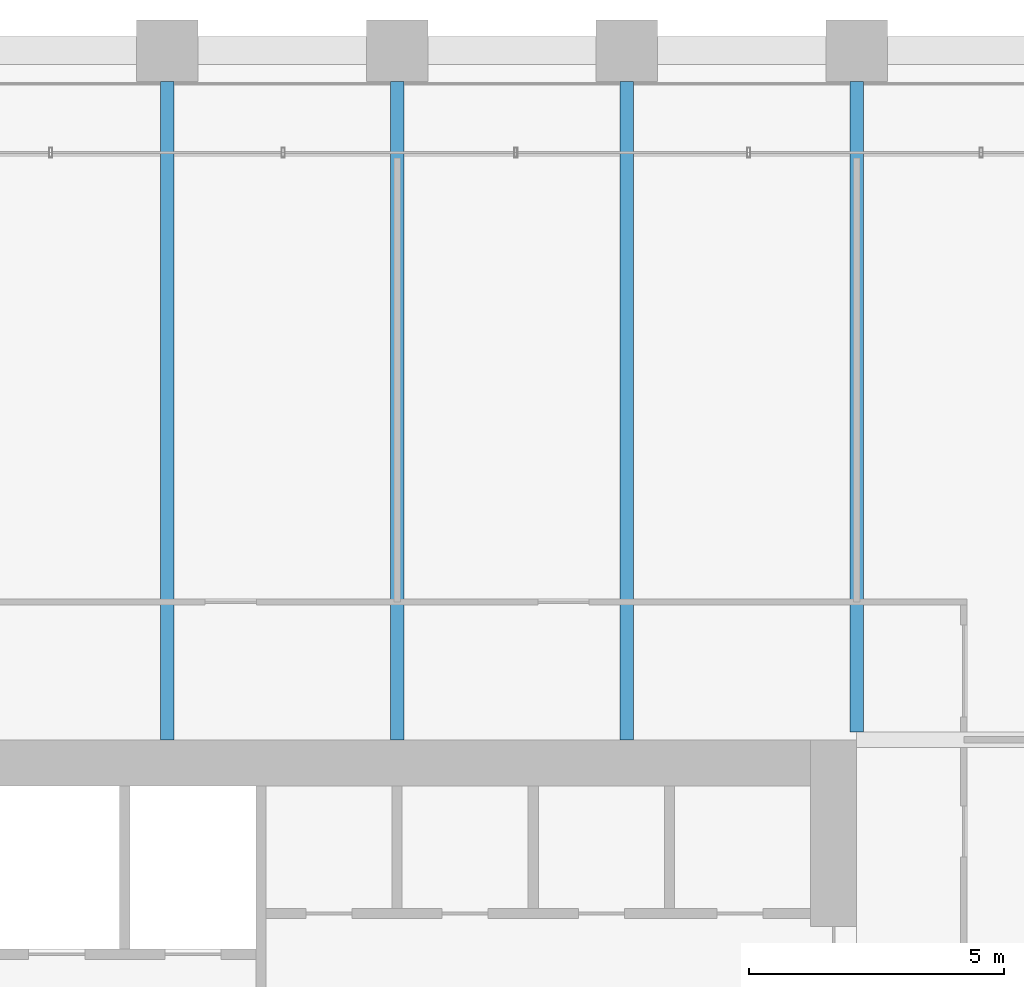
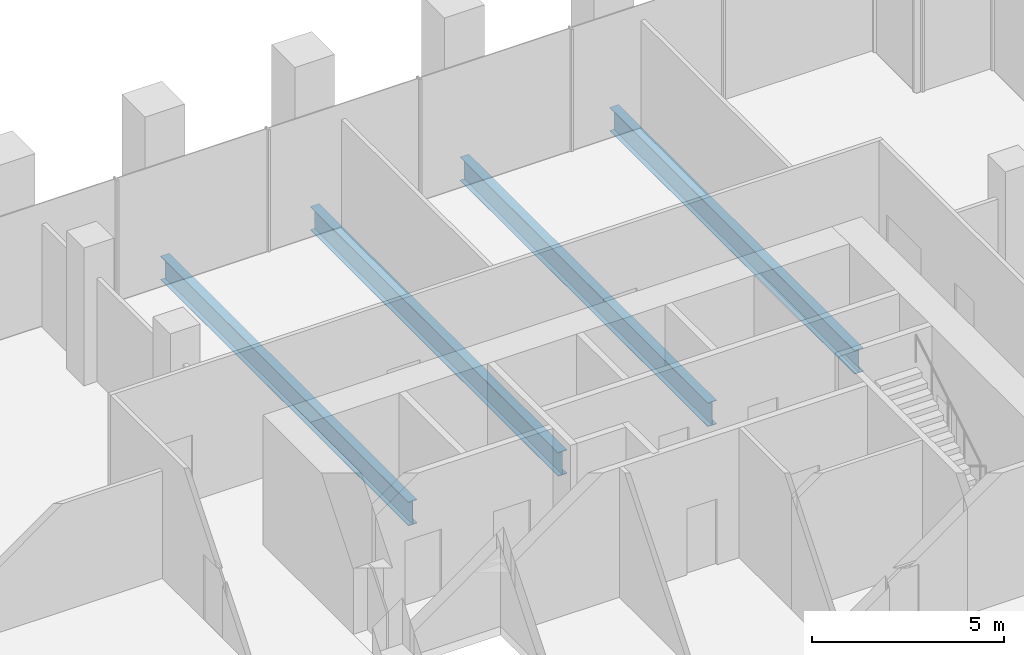
# One storey, part 15 of 36: 4 beams.
"""IFC4 building model written with IfcOpenShell, lengths in metres."""

from ifc_helpers import new_model, si_unit, direction, frame, origin, origin_2d, place, context, subcontext, project, spatial, i_section, extrude, material, material_profile, profile_set, type_object, element, save


model = new_model("IFC4")

# Units and contexts
model_context = context("Model", 3, precision=1e-05, world=origin(), true_north=direction((0.0, 1.0)))
body_context = subcontext(model_context, "Body", "Model", "MODEL_VIEW")
ifc_project = project(units=[si_unit("LENGTHUNIT", "METRE"), si_unit("AREAUNIT", "SQUARE_METRE"), si_unit("VOLUMEUNIT", "CUBIC_METRE"), si_unit("PLANEANGLEUNIT", "RADIAN"), si_unit("MASSUNIT", "GRAM", prefix="KILO")], contexts=[model_context])

# Site, building, storey
site_placement = place(None, origin())
site = spatial("IfcSite", under=ifc_project, at=site_placement, CompositionType="ELEMENT")
building_placement = place(site_placement, origin())
building = spatial("IfcBuilding", under=site, at=building_placement, Name="Altepetl Exchange Towers", CompositionType="ELEMENT")
storey_placement = place(building_placement, frame((0.0, 0.0, 29.800048828125)))
storey = spatial("IfcBuildingStorey", under=building, at=storey_placement, Name="L06", CompositionType="ELEMENT", Elevation=29.800048828125)

# Beams
ifc_material = material(Name="Steel S355", Category="steel")
ifc_material_profile = material_profile(ifc_material, i_section(OverallWidth=0.26611328125, OverallDepth=0.758056640625, WebThickness=0.013916015625, FlangeThickness=0.019287109375, at=origin_2d()), Name="W30X108")
ifc_profile_set = profile_set([ifc_material_profile], Name="Steel S355")
beam_type = type_object("IfcBeamType", Name="Floor beam W30X108", PredefinedType="BEAM", material=ifc_profile_set)
for number, where, z_axis, x_axis, name in (
    (1, (45.0, 58.5, -0.553955078125), (0.0, 1.0, 0.0), (-1.0, 0.0, 0.0), "bm:A:L06:000"),
    (2, (49.5, 58.5, -0.553955078125), (0.0, 1.0, 0.0), (-1.0, 0.0, 0.0), "bm:A:L06:001"),
    (3, (54.0, 58.5, -0.553955078125), (0.0, 1.0, 0.0), (-1.0, 0.0, 0.0), "bm:A:L06:002"),
):
    element("IfcBeam", number, at=place(storey_placement, frame(where, z_axis=z_axis, x_axis=x_axis)), inside=storey, type_object=beam_type, Name=name, PredefinedType="BEAM", context=body_context, shape_type="SweptSolid", body=[
        extrude(i_section(OverallWidth=0.26611328125, OverallDepth=0.758056640625, WebThickness=0.013916015625, FlangeThickness=0.019287109375, at=origin_2d()), origin(), (0.0, 0.0, 1.0), 12.89990234375),
    ])
beam_placement = place(storey_placement, frame((58.5, 58.654052734375, -0.553955078125), z_axis=(0.0, 1.0, 0.0), x_axis=(-1.0, 0.0, 0.0)))
element("IfcBeam", 4, at=beam_placement, inside=storey, type_object=beam_type, Name="bm:A:L06:003", PredefinedType="BEAM", context=body_context, shape_type="SweptSolid", body=[
    extrude(i_section(OverallWidth=0.26611328125, OverallDepth=0.758056640625, WebThickness=0.013916015625, FlangeThickness=0.019287109375, at=origin_2d()), origin(), (0.0, 0.0, 1.0), 12.745849609375),
])

save(model, "model.ifc")
